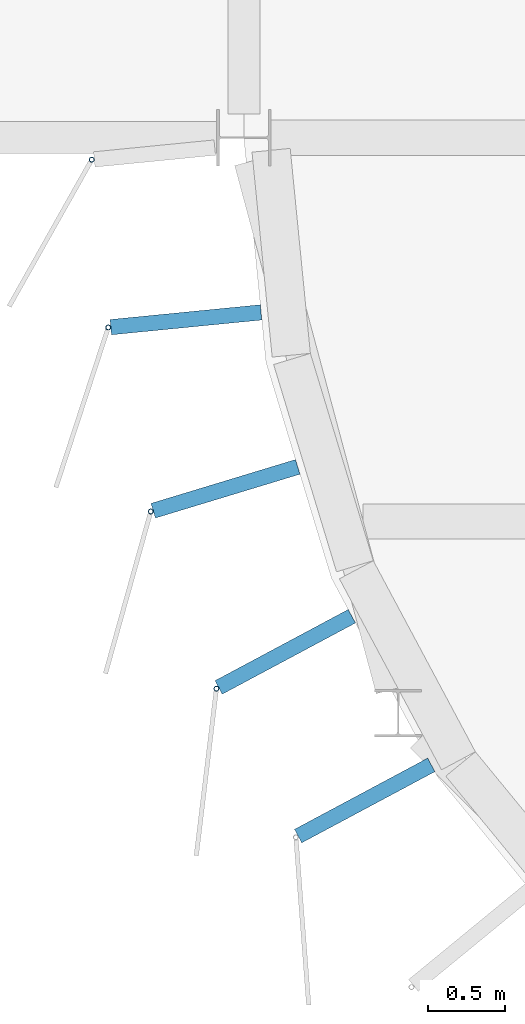
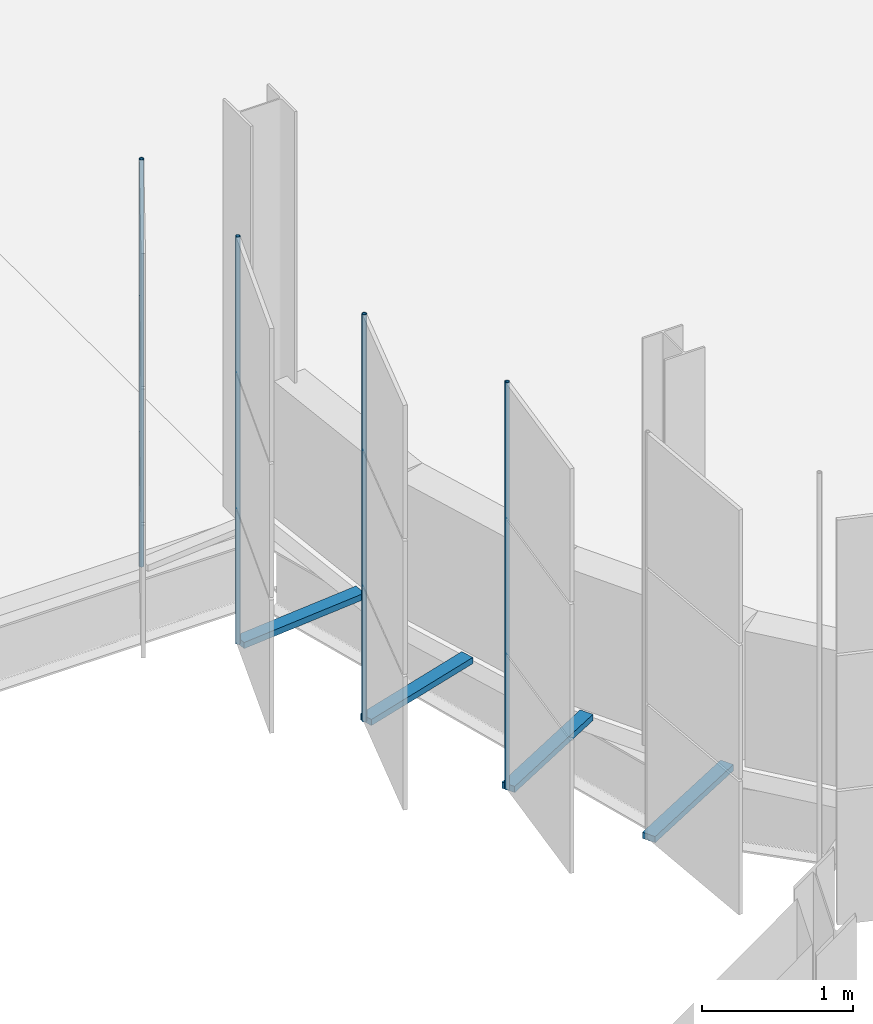
# One storey, part 104 of 214: 8 discrete accessories.
"""IFC4 building model written with IfcOpenShell, lengths in metres."""

import ifcopenshell
import ifcopenshell.guid

model = None  # the IFC model being written
_history = None  # IfcOwnerHistory: only IFC2X3 demands one
_inside = {}  # id of a spatial element -> (the spatial element, [elements in it])
_under = {}  # id of a project, library or spatial element -> (it, [spatial elements below it])
_declared = {}  # id of a project -> (the project, [libraries it declares])
_typed = {}  # id of a type object -> (the type object, [elements of that type])
_made_of = {}  # id of a material, layer set ... -> (it, [elements and type objects made of it])


def new_model(schema):
    """Start an empty IFC model of exactly this schema.

    Asked for "IFC4X3", IfcOpenShell would pick the latest addendum, in which some entities
    have other attributes; the version numbers below select the first issue.
    IFC2X3 requires an IfcOwnerHistory on every rooted entity: one is made here for all.
    """
    global model, _history
    if schema == "IFC4X3":
        model = ifcopenshell.file(schema_version=(4, 3, 0, 0))
    else:
        model = ifcopenshell.file(schema=schema)
    _inside.clear()
    _under.clear()
    _declared.clear()
    _typed.clear()
    _made_of.clear()
    _history = None
    if model.schema == "IFC2X3":
        org = make("IfcOrganization", Name="unknown")
        user = make(
            "IfcPersonAndOrganization",
            ThePerson=make("IfcPerson", FamilyName="unknown"),
            TheOrganization=org,
        )
        app = make(
            "IfcApplication",
            ApplicationDeveloper=org,
            Version="unknown",
            ApplicationFullName="unknown",
            ApplicationIdentifier="unknown",
        )
        _history = make(
            "IfcOwnerHistory",
            OwningUser=user,
            OwningApplication=app,
            ChangeAction="ADDED",
            CreationDate=0,
        )
    return model


def make(cls, **values):
    """One entity of the class cls with the attributes given. An attribute that is None is left unset."""
    return model.create_entity(
        cls, **{name: value for name, value in values.items() if value is not None}
    )


def rooted(cls, **values):
    """An entity with a GlobalId (a new one), such as an element, a storey or a relation."""
    return make(cls, GlobalId=ifcopenshell.guid.new(), OwnerHistory=_history, **values)


def si_unit(unit_type, name, prefix=None):
    """IfcSIUnit, for example si_unit("LENGTHUNIT", "METRE", prefix="MILLI")."""
    return make("IfcSIUnit", UnitType=unit_type, Prefix=prefix, Name=name)


def assignment(units):
    """IfcUnitAssignment: the units of a project."""
    return None if units is None else make("IfcUnitAssignment", Units=units)


def point(xyz):
    """IfcCartesianPoint."""
    return None if xyz is None else make("IfcCartesianPoint", Coordinates=xyz)


def direction(xyz):
    """IfcDirection."""
    return None if xyz is None else make("IfcDirection", DirectionRatios=xyz)


def frame(location, z_axis=None, x_axis=None):
    """IfcAxis2Placement3D, a coordinate frame: its origin and axes. An axis left out is left unset."""
    return make(
        "IfcAxis2Placement3D",
        Location=point(location),
        Axis=direction(z_axis),
        RefDirection=direction(x_axis),
    )


def frame_2d(location, x_axis=None):
    """IfcAxis2Placement2D, a coordinate frame in the plane: its origin and x axis."""
    return make(
        "IfcAxis2Placement2D", Location=point(location), RefDirection=direction(x_axis)
    )


def origin():
    """The frame at (0, 0, 0) with its axes left unset."""
    return frame((0.0, 0.0, 0.0))


def origin_2d():
    """The frame at (0, 0) in the plane with its x axis left unset."""
    return frame_2d((0.0, 0.0))


def place(relative_to, where):
    """IfcLocalPlacement: puts the frame where relative to a parent placement (None: the world)."""
    return make(
        "IfcLocalPlacement", PlacementRelTo=relative_to, RelativePlacement=where
    )


def context(
    kind, dimensions, precision=None, world=None, true_north=None, identifier=None
):
    """IfcGeometricRepresentationContext, for example the 3D "Model" context."""
    return make(
        "IfcGeometricRepresentationContext",
        ContextIdentifier=identifier,
        ContextType=kind,
        CoordinateSpaceDimension=dimensions,
        Precision=precision,
        WorldCoordinateSystem=world,
        TrueNorth=true_north,
    )


def subcontext(parent, identifier, kind, view, scale=None):
    """IfcGeometricRepresentationSubContext, for example "Body" below "Model"."""
    return make(
        "IfcGeometricRepresentationSubContext",
        ContextIdentifier=identifier,
        ContextType=kind,
        ParentContext=parent,
        TargetScale=scale,
        TargetView=view,
    )


def project(units=None, contexts=None):
    """IfcProject with its units and contexts."""
    return rooted(
        "IfcProject",
        Name="project",
        RepresentationContexts=contexts,
        UnitsInContext=assignment(units),
    )


def spatial(cls, under=None, at=None, **own):
    """A site, building, storey or space (cls), placed at a placement, below another one or the project."""
    s = rooted(cls, ObjectPlacement=at, **own)
    if under is not None:
        _under.setdefault(under.id(), (under, []))[1].append(s)
    return s


def profile(cls, at=None, kind="AREA", **sizes):
    """A parametric profile (cls). Its sizes go by their IFC names, for example OverallWidth=200.0."""
    return make(cls, ProfileType=kind, Position=at, **sizes)


def rectangle(**sizes):
    """IfcRectangleProfileDef."""
    return profile("IfcRectangleProfileDef", **sizes)


def hollow_circle(**sizes):
    """IfcCircleHollowProfileDef."""
    return profile("IfcCircleHollowProfileDef", **sizes)


def extrude(swept, where, along, depth):
    """IfcExtrudedAreaSolid: the profile swept, set in the frame where, extruded along a direction by depth."""
    return make(
        "IfcExtrudedAreaSolid",
        SweptArea=swept,
        Position=where,
        ExtrudedDirection=direction(along),
        Depth=depth,
    )


def shape(context_of_items, identifier, shape_type, items):
    """IfcShapeRepresentation: the items that make up one representation, for example the "Body"."""
    return make(
        "IfcShapeRepresentation",
        ContextOfItems=context_of_items,
        RepresentationIdentifier=identifier,
        RepresentationType=shape_type,
        Items=items,
    )


def material(Name=None, Category=None):
    """IfcMaterial."""
    return make("IfcMaterial", Name=Name, Category=Category)


def material_profile(
    of_material, cross_section, Name=None, Category=None, Priority=None
):
    """IfcMaterialProfile: a cross section and its material."""
    return make(
        "IfcMaterialProfile",
        Name=Name,
        Material=of_material,
        Profile=cross_section,
        Priority=Priority,
        Category=Category,
    )


def profile_set(profiles, Name=None, composite=None):
    """IfcMaterialProfileSet."""
    return make(
        "IfcMaterialProfileSet",
        Name=Name,
        MaterialProfiles=profiles,
        CompositeProfile=composite,
    )


def made_of(thing, what):
    """Note that an element or type object is made of a material, layer set ...; save() writes the relation."""
    if what is not None:
        _made_of.setdefault(what.id(), (what, []))[1].append(thing)
    return thing


def type_object(cls, material=None, **own):
    """A type object (cls), such as IfcWallType, which elements share."""
    return made_of(rooted(cls, **own), material)


def element(
    cls,
    number,
    at=None,
    inside=None,
    cuts=None,
    type_object=None,
    material=None,
    context=None,
    identifier="Body",
    shape_type=None,
    held_by="IfcProductDefinitionShape",
    body=None,
    shapes=None,
    **own,
):
    """One element of the class cls, such as IfcWall. Its Tag is "e" and its number.

    at: its placement. inside: the storey or other place that contains it. cuts: it is an
    opening in that element (IfcRelVoidsElement). A single representation is given by context,
    identifier, shape_type and body (its items); several are given by shapes. held_by: the class
    of the entity that holds the representations. save() writes the other relations.
    """
    e = rooted(cls, Tag="e%d" % number, ObjectPlacement=at, **own)
    if body is not None:
        shapes = [shape(context, identifier, shape_type, body)]
    if shapes is not None:
        e.Representation = make(held_by, Representations=shapes)
    if inside is not None:
        _inside.setdefault(inside.id(), (inside, []))[1].append(e)
    if cuts is not None:
        rooted(
            "IfcRelVoidsElement", RelatingBuildingElement=cuts, RelatedOpeningElement=e
        )
    if type_object is not None:
        _typed.setdefault(type_object.id(), (type_object, []))[1].append(e)
    return made_of(e, material)


def aggregate(whole, parts):
    """IfcRelAggregates: a whole, such as a stair, and the parts it consists of."""
    return rooted("IfcRelAggregates", RelatingObject=whole, RelatedObjects=parts)


def save(model, path):
    """Write the relations noted so far, then the file.

    IfcRelAggregates (storeys below a building ...), IfcRelContainedInSpatialStructure (elements
    in a storey), IfcRelDefinesByType, IfcRelAssociatesMaterial and IfcRelDeclares: one each for
    every whole, place, type object, material and project.
    """
    for whole, parts in _under.values():
        aggregate(whole, parts)
    for where, things in _inside.values():
        rooted(
            "IfcRelContainedInSpatialStructure",
            RelatedElements=things,
            RelatingStructure=where,
        )
    for kind, things in _typed.values():
        rooted("IfcRelDefinesByType", RelatedObjects=things, RelatingType=kind)
    for what, things in _made_of.values():
        rooted("IfcRelAssociatesMaterial", RelatedObjects=things, RelatingMaterial=what)
    for by, libraries in _declared.values():
        rooted("IfcRelDeclares", RelatingContext=by, RelatedDefinitions=libraries)
    model.write(path)


model = new_model("IFC4")

# Units and contexts
model_context = context("Model", 3, precision=1e-05, world=origin(), true_north=direction((0.0, 1.0)))
body_context = subcontext(model_context, "Body", "Model", "MODEL_VIEW")
ifc_project = project(units=[si_unit("LENGTHUNIT", "METRE"), si_unit("AREAUNIT", "SQUARE_METRE"), si_unit("VOLUMEUNIT", "CUBIC_METRE"), si_unit("PLANEANGLEUNIT", "RADIAN"), si_unit("MASSUNIT", "GRAM", prefix="KILO")], contexts=[model_context])

# Site, building, storey
site_placement = place(None, origin())
site = spatial("IfcSite", under=ifc_project, at=site_placement, CompositionType="ELEMENT")
building_placement = place(site_placement, origin())
building = spatial("IfcBuilding", under=site, at=building_placement, Name="Parallax Yard Mobility Hub", CompositionType="ELEMENT")
storey_placement = place(building_placement, frame((0.0, 0.0, 3.300048828125)))
storey = spatial("IfcBuildingStorey", under=building, at=storey_placement, Name="L01", CompositionType="ELEMENT", Elevation=3.300048828125)

# Discrete accessories
ifc_material_1 = material(Name="Steel ASTM A36, hot-dip galvanised", Category="steel")
discrete_accessory_type_1 = type_object("IfcDiscreteAccessoryType", Name="Hinge bracket plate 100x50", PredefinedType="BRACKET", material=ifc_material_1)
for number, where, z_axis, x_axis, name in (
    (1, (194.622802734375, 28.8134765625, -0.02490234375), (0.0, 0.0, 1.0), (-0.995184726672, -0.09801714033, 0.0), "Hinge bracket plate bay 30.2 level L01"),
    (2, (194.880615234375, 27.712158203125, -0.02490234375), (0.0, 0.0, 1.0), (-0.956940335732, -0.290284677254, 0.0), "Hinge bracket plate bay 30.3 level L01"),
    (3, (195.27001953125, 26.64990234375, -0.02490234375), (0.0, 0.0, 1.0), (-0.881921264348, -0.471396736826, 0.0), "Hinge bracket plate bay 30.4 level L01"),
    (4, (195.787841796875, 25.681396484375, -0.02490234375), (0.0, 0.0, 1.0), (-0.881921264348, -0.471396736826, 0.0), "Hinge bracket plate bay 30.5 level L01"),
):
    element("IfcDiscreteAccessory", number, at=place(storey_placement, frame(where, z_axis=z_axis, x_axis=x_axis)), inside=storey, type_object=discrete_accessory_type_1, Name=name, PredefinedType="BRACKET", context=body_context, shape_type="SweptSolid", body=[
        extrude(rectangle(XDim=0.984130859375, YDim=0.10009765625, at=origin_2d()), origin(), (0.0, 0.0, 1.0), 0.050048828125),
    ])
ifc_material_2 = material(Name="Steel ASTM A500 Gr C, hot-dip galvanised", Category="steel")
ifc_material_profile = material_profile(ifc_material_2, hollow_circle(Radius=0.016845703125, WallThickness=0.003173828125, at=origin_2d()), Name="CHS 33.7x3.2")
ifc_profile_set = profile_set([ifc_material_profile], Name="Steel ASTM A500 Gr C, hot-dip galvanised")
discrete_accessory_type_2 = type_object("IfcDiscreteAccessoryType", Name="Hinge post CHS 33.7x3.2", PredefinedType="BRACKET", material=ifc_profile_set)
for number, where, z_axis, x_axis, name in (
    (5, (194.00927734375, 29.8564453125, 0.0), (0.0, 0.0, 1.0), (1.0, 0.0, 0.0), "Hinge post bay 30.1 level L01"),
    (6, (194.116943359375, 28.763671875, 0.0), (0.0, 0.0, 1.0), (1.0, 0.0, 0.0), "Hinge post bay 30.2 level L01"),
    (7, (194.39404296875, 27.564697265625, 0.0), (0.0, 0.0, 1.0), (1.0, 0.0, 0.0), "Hinge post bay 30.3 level L01"),
    (8, (194.82177734375, 26.41015625, 0.0), (0.0, 0.0, 1.0), (1.0, 0.0, 0.0), "Hinge post bay 30.4 level L01"),
):
    element("IfcDiscreteAccessory", number, at=place(storey_placement, frame(where, z_axis=z_axis, x_axis=x_axis)), inside=storey, type_object=discrete_accessory_type_2, Name=name, PredefinedType="BRACKET", context=body_context, shape_type="SweptSolid", body=[
        extrude(hollow_circle(Radius=0.016845703125, WallThickness=0.003173828125, at=origin_2d()), origin(), (0.0, 0.0, 1.0), 3.300048828125),
    ])

save(model, "model.ifc")
